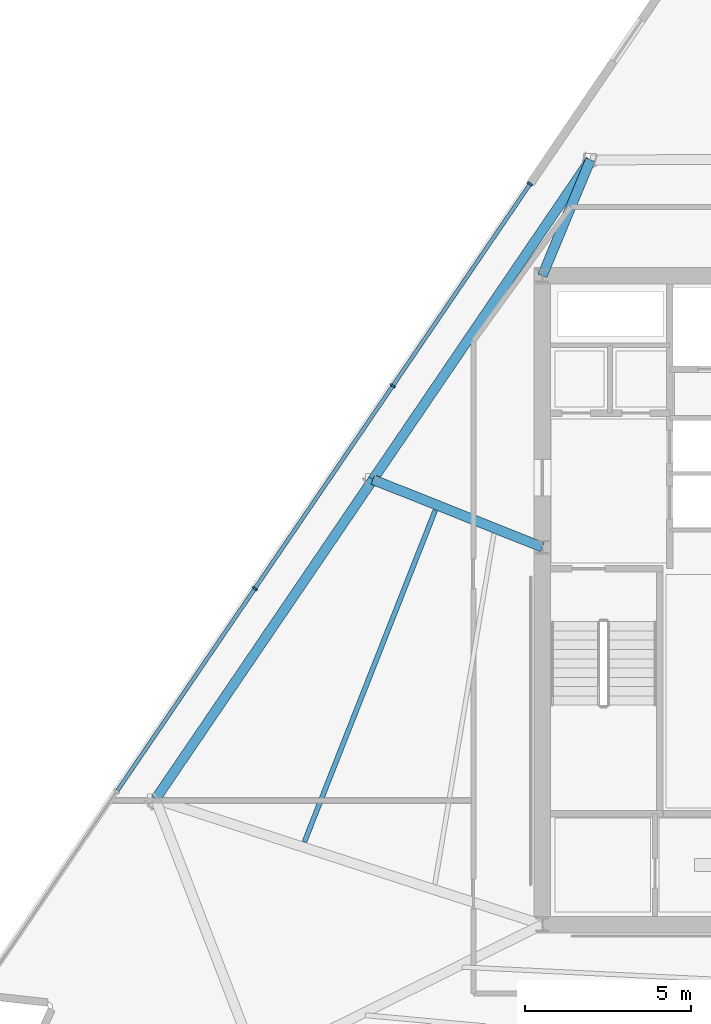
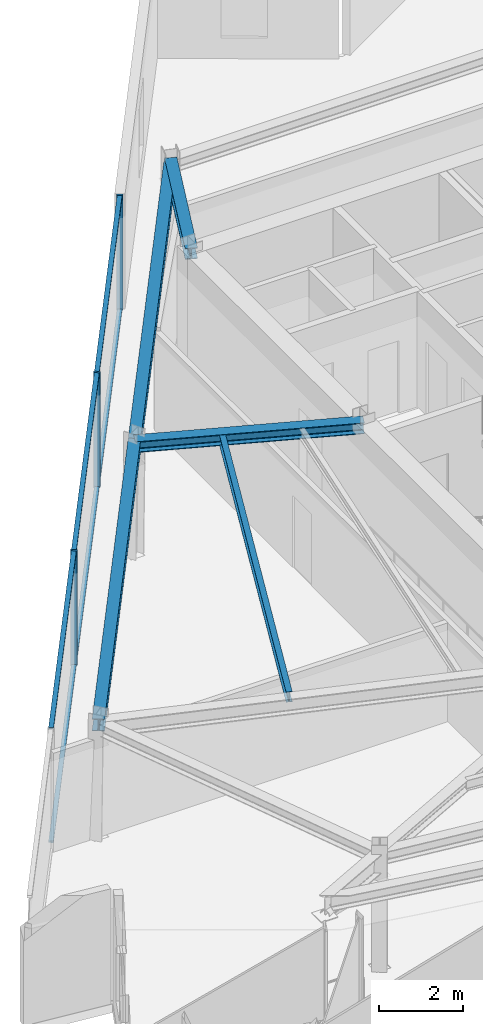
# One storey, part 4 of 14: 9 members, 5 beams, 1 element without a shape of its own.
"""IFC4 building model written with IfcOpenShell, lengths in metres."""

from ifc_helpers import new_model, si_unit, direction, frame, origin, origin_2d, place, context, subcontext, project, spatial, rectangle, i_section, extrude, material, material_profile, profile_set, type_object, element, aggregate, save


model = new_model("IFC4")

# Units and contexts
model_context = context("Model", 3, precision=1e-05, world=origin(), true_north=direction((0.0, 1.0)))
body_context = subcontext(model_context, "Body", "Model", "MODEL_VIEW")
ifc_project = project(units=[si_unit("LENGTHUNIT", "METRE"), si_unit("AREAUNIT", "SQUARE_METRE"), si_unit("VOLUMEUNIT", "CUBIC_METRE"), si_unit("PLANEANGLEUNIT", "RADIAN"), si_unit("MASSUNIT", "GRAM", prefix="KILO")], contexts=[model_context])

# Site, building, storey
site_placement = place(None, origin())
site = spatial("IfcSite", under=ifc_project, at=site_placement, CompositionType="ELEMENT")
building_placement = place(site_placement, origin())
building = spatial("IfcBuilding", under=site, at=building_placement, Name="Savorim Split Tower", CompositionType="ELEMENT")
storey_placement = place(building_placement, frame((0.0, 0.0, 227.10009765625)))
storey = spatial("IfcBuildingStorey", under=building, at=storey_placement, Name="L60", CompositionType="ELEMENT", Elevation=227.10009765625)

# Beams
ifc_material_1 = material(Name="Steel S355", Category="steel")
ifc_material_profile_1 = material_profile(ifc_material_1, i_section(OverallWidth=0.14990234375, OverallDepth=0.300048828125, WebThickness=0.007080078125, FlangeThickness=0.0107421875, FilletRadius=0.014892578125, at=origin_2d()), Name="IPE 300")
ifc_profile_set_1 = profile_set([ifc_material_profile_1], Name="Steel S355")
beam_type_1 = type_object("IfcBeamType", Name="BM-JST-IPE300", PredefinedType="JOIST", material=ifc_profile_set_1)
beam_1_placement = place(storey_placement, frame((-10.931396484375, 3.11767578125, 3.199951171875), z_axis=(-0.367127836213, -0.930170496134, 0.0), x_axis=(0.930170496134, -0.367127836213, 0.0)))
element("IfcBeam", 1, at=beam_1_placement, inside=storey, type_object=beam_type_1, Name="L60 Secondary Floor Joist JS-10", PredefinedType="JOIST", context=body_context, shape_type="SweptSolid", body=[
    extrude(i_section(OverallWidth=0.14990234375, OverallDepth=0.300048828125, WebThickness=0.007080078125, FlangeThickness=0.0107421875, FilletRadius=0.014892578125, at=origin_2d()), origin(), (0.0, 0.0, 1.0), 10.77294921875),
])
ifc_material_profile_2 = material_profile(ifc_material_1, i_section(OverallWidth=0.300048828125, OverallDepth=0.320068359375, WebThickness=0.011474609375, FlangeThickness=0.0205078125, FilletRadius=0.027099609375, at=origin_2d()), Name="HEB 320")
ifc_profile_set_2 = profile_set([ifc_material_profile_2], Name="Steel S355")
beam_type_2 = type_object("IfcBeamType", Name="BM-PRI-HEB320", PredefinedType="BEAM", material=ifc_profile_set_2)
beam_2_placement = place(storey_placement, frame((-6.249267578125, 13.697998046875, 3.18994140625), z_axis=(-0.383076742227, -0.923716520132, 0.0), x_axis=(0.923716520132, -0.383076742227, 0.0)))
element("IfcBeam", 2, at=beam_2_placement, inside=storey, type_object=beam_type_2, Name="L60 Primary Floor Girder RG-08", PredefinedType="BEAM", context=body_context, shape_type="SweptSolid", body=[
    extrude(i_section(OverallWidth=0.300048828125, OverallDepth=0.320068359375, WebThickness=0.011474609375, FlangeThickness=0.0205078125, FilletRadius=0.027099609375, at=origin_2d()), origin(), (0.0, 0.0, 1.0), 3.786865234375),
])
beam_3_placement = place(storey_placement, frame((-12.8173828125, 4.042724609375, 3.18994140625), z_axis=(0.928742301673, -0.370725959549, 0.0), x_axis=(0.370725959549, 0.928742301673, 0.0)))
element("IfcBeam", 3, at=beam_3_placement, inside=storey, type_object=beam_type_2, Name="L60 Primary Floor Girder RG-09", PredefinedType="BEAM", context=body_context, shape_type="SweptSolid", body=[
    extrude(i_section(OverallWidth=0.300048828125, OverallDepth=0.320068359375, WebThickness=0.011474609375, FlangeThickness=0.0205078125, FilletRadius=0.027099609375, at=origin_2d()), origin(), (0.0, 0.0, 1.0), 5.510009765625),
])
ifc_material_profile_3 = material_profile(ifc_material_1, i_section(OverallWidth=0.300048828125, OverallDepth=0.35009765625, WebThickness=0.010009765625, FlangeThickness=0.017578125, FilletRadius=0.027099609375, at=origin_2d()), Name="HEA 360")
ifc_profile_set_3 = profile_set([ifc_material_profile_3], Name="Steel S355")
beam_type_3 = type_object("IfcBeamType", Name="BM-SPN-HEA360", PredefinedType="SPANDREL", material=ifc_profile_set_3)
beam_4_placement = place(storey_placement, frame((-6.249267578125, 13.697998046875, 3.1748046875), z_axis=(-0.562458121936, -0.826825774313, 0.0), x_axis=(0.826825774313, -0.562458121936, 0.0)))
element("IfcBeam", 4, at=beam_4_placement, inside=storey, type_object=beam_type_3, Name="L60 Perimeter Spandrel Beam 8", PredefinedType="SPANDREL", context=body_context, shape_type="SweptSolid", body=[
    extrude(i_section(OverallWidth=0.300048828125, OverallDepth=0.35009765625, WebThickness=0.010009765625, FlangeThickness=0.017578125, FilletRadius=0.027099609375, at=origin_2d()), origin(), (0.0, 0.0, 1.0), 11.677490234375),
])
beam_5_placement = place(storey_placement, frame((-12.8173828125, 4.042724609375, 3.1748046875), z_axis=(-0.56247241449, -0.826816051451, 0.0), x_axis=(0.826816051451, -0.56247241449, 0.0)))
element("IfcBeam", 5, at=beam_5_placement, inside=storey, type_object=beam_type_3, Name="L60 Perimeter Spandrel Beam 9", PredefinedType="SPANDREL", context=body_context, shape_type="SweptSolid", body=[
    extrude(i_section(OverallWidth=0.300048828125, OverallDepth=0.35009765625, WebThickness=0.010009765625, FlangeThickness=0.017578125, FilletRadius=0.027099609375, at=origin_2d()), origin(), (0.0, 0.0, 1.0), 11.677734375),
])

# Curtain wall, members
ifc_material_2 = material(Name="Dark Ceramic-Fritted Insulated Glass", Category="glass")
curtain_wall_type = type_object("IfcCurtainWallType", Name="CW-TWR-FRIT-B", PredefinedType="NOTDEFINED", material=ifc_material_2)
curtain_wall_placement = place(storey_placement, origin())
curtain_wall = element("IfcCurtainWall", 6, at=curtain_wall_placement, inside=storey, type_object=curtain_wall_type, Name="L60 Curtain Wall CW-L60-WEST", PredefinedType="NOTDEFINED")
ifc_material_3 = material(Name="Charcoal Anodised Aluminium", Category="aluminium")
ifc_material_profile_4 = material_profile(ifc_material_3, rectangle(XDim=0.159912109375, YDim=0.06005859375, at=origin_2d()), Name="ALU-M 160x60")
ifc_profile_set_4 = profile_set([ifc_material_profile_4], Name="Charcoal Anodised Aluminium")
member_type_1 = type_object("IfcMemberType", Name="CWM-160x60", PredefinedType="MULLION", material=ifc_profile_set_4)
member_1_placement = place(storey_placement, frame((-8.0673828125, 12.9736328125, 0.0), z_axis=(0.0, 0.0, 1.0), x_axis=(0.826820024782, -0.562466573779, 0.0)))
member_1 = element("IfcMember", 7, at=member_1_placement, type_object=member_type_1, Name="CW-03 mullion 1", PredefinedType="MULLION", context=body_context, shape_type="SweptSolid", body=[
    extrude(rectangle(XDim=0.159912109375, YDim=0.06005859375, at=origin_2d()), origin(), (0.0, 0.0, 1.0), 3.349853515625),
])
member_2_placement = place(storey_placement, frame((-12.216796875, 6.873779296875, 0.0), z_axis=(0.0, 0.0, 1.0), x_axis=(0.826820024782, -0.562466573779, 0.0)))
member_2 = element("IfcMember", 8, at=member_2_placement, type_object=member_type_1, Name="CW-03 mullion 2", PredefinedType="MULLION", context=body_context, shape_type="SweptSolid", body=[
    extrude(rectangle(XDim=0.159912109375, YDim=0.06005859375, at=origin_2d()), origin(), (0.0, 0.0, 1.0), 3.349853515625),
])
member_3_placement = place(storey_placement, frame((-16.38330078125, 0.7490234375, 0.0), z_axis=(0.0, 0.0, 1.0), x_axis=(0.826820024782, -0.562466573779, 0.0)))
member_3 = element("IfcMember", 9, at=member_3_placement, type_object=member_type_1, Name="CW-03 mullion 3", PredefinedType="MULLION", context=body_context, shape_type="SweptSolid", body=[
    extrude(rectangle(XDim=0.159912109375, YDim=0.06005859375, at=origin_2d()), origin(), (0.0, 0.0, 1.0), 3.349853515625),
])
ifc_material_profile_5 = material_profile(ifc_material_3, rectangle(XDim=0.1201171875, YDim=0.050048828125, at=origin_2d()), Name="ALU-T 120x50")
ifc_profile_set_5 = profile_set([ifc_material_profile_5], Name="Charcoal Anodised Aluminium")
member_type_2 = type_object("IfcMemberType", Name="CWT-120x50", PredefinedType="USERDEFINED", material=ifc_profile_set_5)
member_4_placement = place(storey_placement, frame((-8.084228515625, 12.94873046875, 0.02490234375), z_axis=(-0.562452376398, -0.826829682755, 0.0), x_axis=(0.826829682755, -0.562452376398, 0.0)))
member_4 = element("IfcMember", 10, at=member_4_placement, type_object=member_type_2, Name="CW-03 transom 1.1", ObjectType="TRANSOM", PredefinedType="USERDEFINED", context=body_context, shape_type="SweptSolid", body=[
    extrude(rectangle(XDim=0.1201171875, YDim=0.050048828125, at=origin_2d()), origin(), (0.0, 0.0, 1.0), 7.3173828125),
])
member_5_placement = place(storey_placement, frame((-8.084228515625, 12.94873046875, 3.324951171875), z_axis=(-0.562452376398, -0.826829682755, 0.0), x_axis=(0.826829682755, -0.562452376398, 0.0)))
member_5 = element("IfcMember", 11, at=member_5_placement, type_object=member_type_2, Name="CW-03 transom 1.2", ObjectType="TRANSOM", PredefinedType="USERDEFINED", context=body_context, shape_type="SweptSolid", body=[
    extrude(rectangle(XDim=0.1201171875, YDim=0.050048828125, at=origin_2d()), origin(), (0.0, 0.0, 1.0), 7.3173828125),
])
member_6_placement = place(storey_placement, frame((-12.233642578125, 6.848876953125, 0.02490234375), z_axis=(-0.562481783671, -0.82680967764, 0.0), x_axis=(0.82680967764, -0.562481783671, 0.0)))
member_6 = element("IfcMember", 12, at=member_6_placement, type_object=member_type_2, Name="CW-03 transom 2.1", ObjectType="TRANSOM", PredefinedType="USERDEFINED", context=body_context, shape_type="SweptSolid", body=[
    extrude(rectangle(XDim=0.1201171875, YDim=0.050048828125, at=origin_2d()), origin(), (0.0, 0.0, 1.0), 7.347412109375),
])
member_7_placement = place(storey_placement, frame((-12.233642578125, 6.848876953125, 3.324951171875), z_axis=(-0.562481783671, -0.82680967764, 0.0), x_axis=(0.82680967764, -0.562481783671, 0.0)))
member_7 = element("IfcMember", 13, at=member_7_placement, type_object=member_type_2, Name="CW-03 transom 2.2", ObjectType="TRANSOM", PredefinedType="USERDEFINED", context=body_context, shape_type="SweptSolid", body=[
    extrude(rectangle(XDim=0.1201171875, YDim=0.050048828125, at=origin_2d()), origin(), (0.0, 0.0, 1.0), 7.347412109375),
])
member_8_placement = place(storey_placement, frame((-16.400146484375, 0.724365234375, 0.02490234375), z_axis=(-0.562466330854, -0.826820190039, 0.0), x_axis=(0.826820190039, -0.562466330854, 0.0)))
member_8 = element("IfcMember", 14, at=member_8_placement, type_object=member_type_2, Name="CW-03 transom 3.1", ObjectType="TRANSOM", PredefinedType="USERDEFINED", context=body_context, shape_type="SweptSolid", body=[
    extrude(rectangle(XDim=0.1201171875, YDim=0.050048828125, at=origin_2d()), origin(), (0.0, 0.0, 1.0), 7.34765625),
])
member_9_placement = place(storey_placement, frame((-16.400146484375, 0.724365234375, 3.324951171875), z_axis=(-0.562466330854, -0.826820190039, 0.0), x_axis=(0.826820190039, -0.562466330854, 0.0)))
member_9 = element("IfcMember", 15, at=member_9_placement, type_object=member_type_2, Name="CW-03 transom 3.2", ObjectType="TRANSOM", PredefinedType="USERDEFINED", context=body_context, shape_type="SweptSolid", body=[
    extrude(rectangle(XDim=0.1201171875, YDim=0.050048828125, at=origin_2d()), origin(), (0.0, 0.0, 1.0), 7.34765625),
])
aggregate(curtain_wall, [member_1, member_2, member_3, member_4, member_5, member_6, member_7, member_8, member_9])

save(model, "model.ifc")
